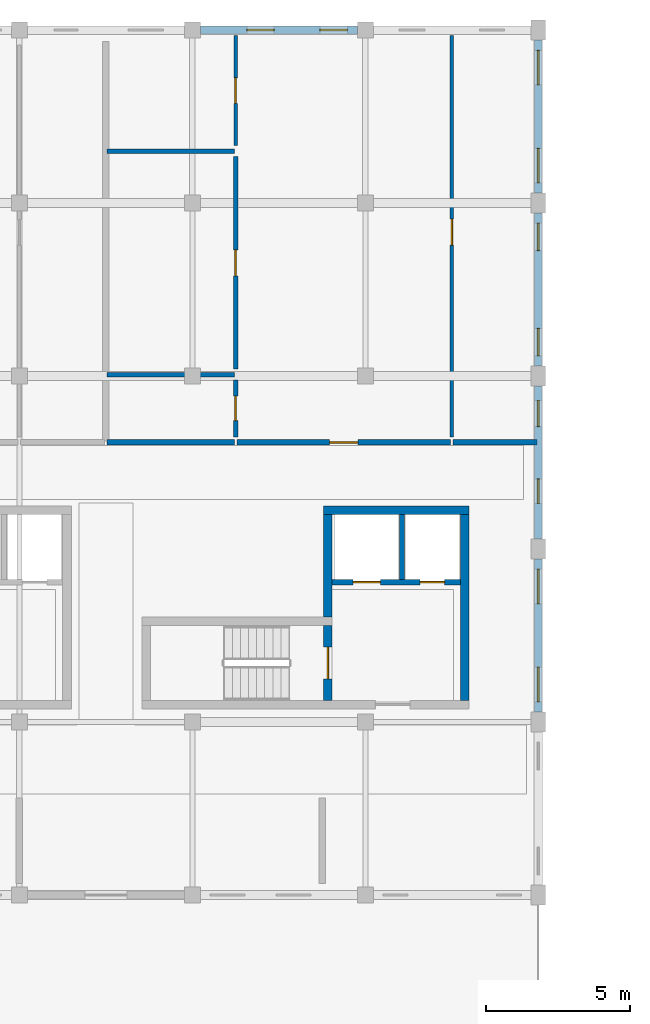
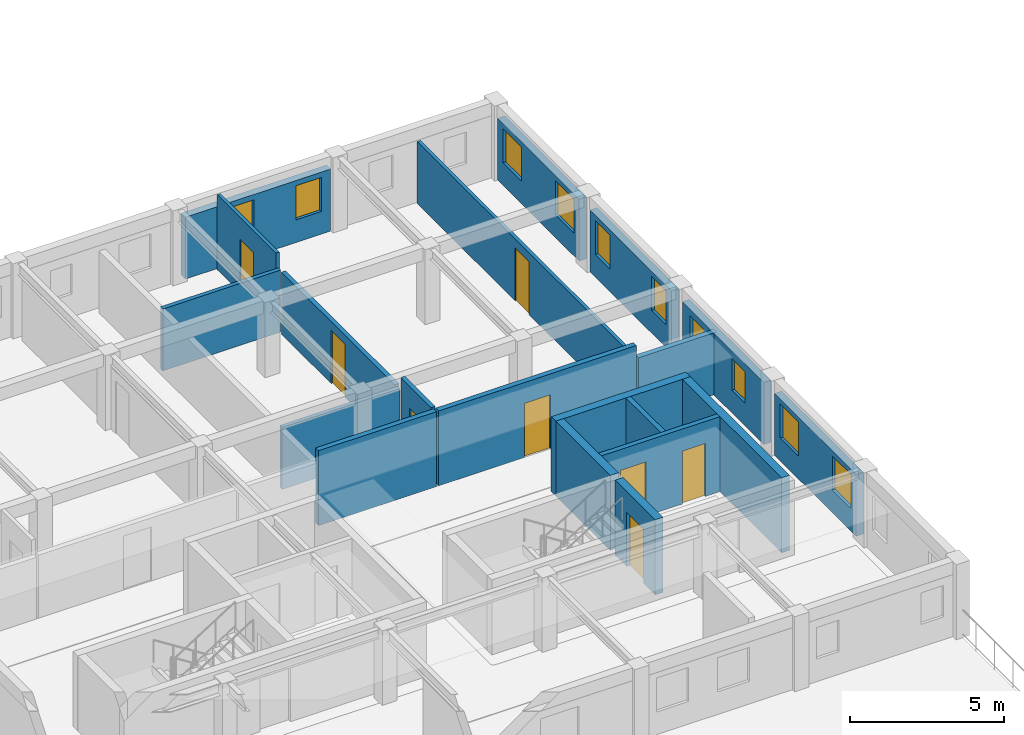
# One storey, part 17 of 28: 20 walls, 10 windows, 8 doors, 18 openings.
"""IFC4 building model written with IfcOpenShell, lengths in metres."""

from ifc_helpers import new_model, si_unit, direction, frame, frame_2d, origin, place, context, subcontext, project, spatial, rectangle, extrude, material, layer, layer_set, type_object, element, fill, save


model = new_model("IFC4")

# Units and contexts
model_context = context("Model", 3, precision=1e-05, world=origin(), true_north=direction((0.0, 1.0)))
body_context = subcontext(model_context, "Body", "Model", "MODEL_VIEW")
ifc_project = project(units=[si_unit("LENGTHUNIT", "METRE"), si_unit("AREAUNIT", "SQUARE_METRE"), si_unit("VOLUMEUNIT", "CUBIC_METRE"), si_unit("PLANEANGLEUNIT", "RADIAN"), si_unit("MASSUNIT", "GRAM", prefix="KILO"), si_unit("POWERUNIT", "WATT"), si_unit("THERMODYNAMICTEMPERATUREUNIT", "KELVIN")], contexts=[model_context])

# Site, building, storey
site_placement = place(None, origin())
site = spatial("IfcSite", under=ifc_project, at=site_placement, CompositionType="ELEMENT")
building_placement = place(site_placement, origin())
building = spatial("IfcBuilding", under=site, at=building_placement, Name="Ruvembo Vaulted Housing Court", CompositionType="ELEMENT")
storey_placement = place(building_placement, frame((0.0, 0.0, 23.699951171875)))
storey = spatial("IfcBuildingStorey", under=building, at=storey_placement, Name="L07", CompositionType="ELEMENT", Elevation=23.699951171875)

# Wall, opening, door
ifc_material_1 = material(Name="Concrete C35/45", Category="concrete")
ifc_layer_1 = layer(ifc_material_1, 0.300048828125, Name="Concrete C35/45")
ifc_layer_set_1 = layer_set([ifc_layer_1], Name="Concrete C35/45")
wall_type_1 = type_object("IfcWallType", Name="WL-CORE-300", PredefinedType="SHEAR", material=ifc_layer_set_1)
wall_1_placement = place(storey_placement, frame((70.699951171875, 90.75, 0.0), z_axis=(0.0, 0.0, 1.0), x_axis=(0.0, 1.0, 0.0)))
wall_1 = element("IfcWall", 1, at=wall_1_placement, inside=storey, type_object=wall_type_1, Name="Core B2 L07 Stair-Lobby Shear Wall", PredefinedType="SHEAR", context=body_context, shape_type="SweptSolid", body=[
    extrude(rectangle(XDim=2.60009765625, YDim=0.300048828125, at=frame_2d((1.300048828125, 0.0))), origin(), (0.0, 0.0, 1.0), 2.97509765625),
])
opening_1_placement = place(wall_1_placement, frame((0.75, 0.0, 0.0)))
opening_1 = element("IfcOpeningElement", 2, at=opening_1_placement, cuts=wall_1, Name="Opening SD2", PredefinedType="OPENING", context=body_context, shape_type="SweptSolid", body=[
    extrude(rectangle(XDim=1.10009765625, YDim=2.14990234375, at=frame_2d((0.550048828125, 1.074951171875))), frame((0.0, 0.159912109375, 0.0), z_axis=(0.0, -1.0, 0.0), x_axis=(1.0, 0.0, 0.0)), (0.0, 0.0, 1.0), 0.320068359375),
])
ifc_material_2 = material(Name="Galvanised Painted Steel", Category="steel")
door_type_1 = type_object("IfcDoorType", Name="DR-STAIR-1100x2150", OperationType="NOTDEFINED", PredefinedType="DOOR", material=ifc_material_2)
door_1_placement = place(opening_1_placement, origin())
door_1 = element("IfcDoor", 3, at=door_1_placement, inside=storey, type_object=door_type_1, Name="Stair ST-B2 L07 Fire Door", OperationType="SINGLE_SWING_LEFT", OverallHeight=2.14990234375, OverallWidth=1.10009765625, PredefinedType="DOOR", context=body_context, shape_type="SweptSolid", body=[
    extrude(rectangle(XDim=1.10009765625, YDim=2.14990234375, at=frame_2d((0.550048828125, 1.074951171875))), frame((0.0, 0.02490234375, 0.0), z_axis=(0.0, -1.0, 0.0), x_axis=(1.0, 0.0, 0.0)), (0.0, 0.0, 1.0), 0.050048828125),
])
fill(opening_1, door_1)

# Walls
wall_2_placement = place(storey_placement, frame((75.60009765625, 97.35009765625, 0.0), z_axis=(0.0, 0.0, 1.0), x_axis=(-1.0, 0.0, 0.0)))
element("IfcWall", 4, at=wall_2_placement, inside=storey, type_object=wall_type_1, Name="Core B2 L07 North Shear Wall", PredefinedType="SHEAR", context=body_context, shape_type="SweptSolid", body=[
    extrude(rectangle(XDim=5.050048828125, YDim=0.300048828125, at=frame_2d((2.52490234375, 0.0))), origin(), (0.0, 0.0, 1.0), 2.97509765625),
])
wall_3_placement = place(storey_placement, frame((75.449951171875, 90.75, 0.0), z_axis=(0.0, 0.0, 1.0), x_axis=(0.0, 1.0, 0.0)))
element("IfcWall", 5, at=wall_3_placement, inside=storey, type_object=wall_type_1, Name="Core B2 L07 East Shear Wall", PredefinedType="SHEAR", context=body_context, shape_type="SweptSolid", body=[
    extrude(rectangle(XDim=6.449951171875, YDim=0.300048828125, at=frame_2d((3.22509765625, 0.0))), origin(), (0.0, 0.0, 1.0), 2.97509765625),
])
wall_4_placement = place(storey_placement, frame((70.699951171875, 93.64990234375, 0.0), z_axis=(0.0, 0.0, 1.0), x_axis=(0.0, 1.0, 0.0)))
element("IfcWall", 6, at=wall_4_placement, inside=storey, type_object=wall_type_1, Name="Core B2 L07 Upper West Shear Wall", PredefinedType="SHEAR", context=body_context, shape_type="SweptSolid", body=[
    extrude(rectangle(XDim=3.550048828125, YDim=0.300048828125, at=frame_2d((1.77490234375, 0.0))), origin(), (0.0, 0.0, 1.0), 2.97509765625),
])
ifc_material_3 = material(Name="Concrete Blockwork 190", Category="masonry")
ifc_layer_2 = layer(ifc_material_3, 0.18994140625, Name="Concrete Blockwork 190")
ifc_layer_set_2 = layer_set([ifc_layer_2], Name="Concrete Blockwork 190")
wall_type_2 = type_object("IfcWallType", Name="WL-CORR-190", PredefinedType="SOLIDWALL", material=ifc_layer_set_2)
wall_5_placement = place(storey_placement, frame((63.0400390625, 99.699951171875, 0.0), z_axis=(0.0, 0.0, 1.0), x_axis=(1.0, 0.0, 0.0)))
element("IfcWall", 7, at=wall_5_placement, inside=storey, type_object=wall_type_2, Name="L07 Flat B-L07-N2 Corridor Wall WL-INT-L07-01920", PredefinedType="SOLIDWALL", context=body_context, shape_type="SweptSolid", body=[
    extrude(rectangle(XDim=4.419921875, YDim=0.18994140625, at=frame_2d((2.2099609375, 0.0))), origin(), (0.0, 0.0, 1.0), 2.97509765625),
])

# Wall, opening, door
wall_6_placement = place(storey_placement, frame((67.5400390625, 99.699951171875, 0.0), z_axis=(0.0, 0.0, 1.0), x_axis=(1.0, 0.0, 0.0)))
wall_6 = element("IfcWall", 8, at=wall_6_placement, inside=storey, type_object=wall_type_2, Name="L07 Flat B-L07-N2 Entrance WL-INT-L07-01921", PredefinedType="SOLIDWALL", context=body_context, shape_type="SweptSolid", body=[
    extrude(rectangle(XDim=7.419921875, YDim=0.18994140625, at=frame_2d((3.7099609375, 0.0))), origin(), (0.0, 0.0, 1.0), 2.97509765625),
])
opening_2_placement = place(wall_6_placement, frame((3.219970703125, 0.0, 0.0)))
opening_2 = element("IfcOpeningElement", 9, at=opening_2_placement, cuts=wall_6, Name="Opening FD2", PredefinedType="OPENING", context=body_context, shape_type="SweptSolid", body=[
    extrude(rectangle(XDim=0.97998046875, YDim=2.14990234375, at=frame_2d((0.489990234375, 1.074951171875))), frame((0.0, 0.10498046875, 0.0), z_axis=(0.0, -1.0, 0.0), x_axis=(1.0, 0.0, 0.0)), (0.0, 0.0, 1.0), 0.2099609375),
])
ifc_material_4 = material(Name="FSC Hardwood and Engineered Timber", Category="wood")
door_type_2 = type_object("IfcDoorType", Name="DR-FLAT-0980x2150", OperationType="NOTDEFINED", PredefinedType="DOOR", material=ifc_material_4)
door_2_placement = place(opening_2_placement, origin())
door_2 = element("IfcDoor", 10, at=door_2_placement, inside=storey, type_object=door_type_2, Name="L07 Flat B-L07-N2 Entrance Door DR-INT-L07-01078", OperationType="SINGLE_SWING_RIGHT", OverallHeight=2.14990234375, OverallWidth=0.97998046875, PredefinedType="DOOR", context=body_context, shape_type="SweptSolid", body=[
    extrude(rectangle(XDim=0.97998046875, YDim=2.14990234375, at=frame_2d((0.489990234375, 1.074951171875))), frame((0.0, 0.02490234375, 0.0), z_axis=(0.0, -1.0, 0.0), x_axis=(1.0, 0.0, 0.0)), (0.0, 0.0, 1.0), 0.050048828125),
])
fill(opening_2, door_2)

# Wall
wall_7_placement = place(storey_placement, frame((75.0400390625, 99.699951171875, 0.0), z_axis=(0.0, 0.0, 1.0), x_axis=(1.0, 0.0, 0.0)))
element("IfcWall", 11, at=wall_7_placement, inside=storey, type_object=wall_type_2, Name="L07 Flat B-L07-N2 Corridor Wall 2 WL-INT-L07-01927", PredefinedType="SOLIDWALL", context=body_context, shape_type="SweptSolid", body=[
    extrude(rectangle(XDim=2.919921875, YDim=0.18994140625, at=frame_2d((1.4599609375, 0.0))), origin(), (0.0, 0.0, 1.0), 2.45703125),
])

# Wall, openings, windows
ifc_material_5 = material(Name="Rendered Masonry 270", Category="masonry")
ifc_layer_3 = layer(ifc_material_5, 0.27001953125, Name="Rendered Masonry 270")
ifc_layer_set_3 = layer_set([ifc_layer_3], Name="Rendered Masonry 270")
wall_type_3 = type_object("IfcWallType", Name="WL-EXT-270", PredefinedType="STANDARD", material=ifc_layer_set_3)
wall_8_placement = place(storey_placement, frame((78.0, 90.35009765625, 0.0), z_axis=(0.0, 0.0, 1.0), x_axis=(0.0, 1.0, 0.0)))
wall_8 = element("IfcWall", 12, at=wall_8_placement, inside=storey, type_object=wall_type_3, Name="Block B L07 Exterior Wall EAST #2", PredefinedType="STANDARD", context=body_context, shape_type="SweptSolid", body=[
    extrude(rectangle(XDim=5.2998046875, YDim=0.27001953125, at=frame_2d((2.64990234375, 0.0))), origin(), (0.0, 0.0, 1.0), 2.45703125),
])
opening_3_placement = place(wall_8_placement, frame((0.35009765625, 0.0, 0.89990234375)))
opening_3 = element("IfcOpeningElement", 13, at=opening_3_placement, cuts=wall_8, Name="Opening W12", PredefinedType="OPENING", context=body_context, shape_type="SweptSolid", body=[
    extrude(rectangle(XDim=1.199951171875, YDim=1.35009765625, at=frame_2d((0.60009765625, 0.675048828125))), frame((0.0, 0.14501953125, 0.0), z_axis=(0.0, -1.0, 0.0), x_axis=(1.0, 0.0, 0.0)), (0.0, 0.0, 1.0), 0.2900390625),
])
opening_4_placement = place(wall_8_placement, frame((3.75, 0.0, 0.89990234375)))
opening_4 = element("IfcOpeningElement", 14, at=opening_4_placement, cuts=wall_8, Name="Opening W12", PredefinedType="OPENING", context=body_context, shape_type="SweptSolid", body=[
    extrude(rectangle(XDim=1.199951171875, YDim=1.35009765625, at=frame_2d((0.60009765625, 0.675048828125))), frame((0.0, 0.14501953125, 0.0), z_axis=(0.0, -1.0, 0.0), x_axis=(1.0, 0.0, 0.0)), (0.0, 0.0, 1.0), 0.2900390625),
])
ifc_material_6 = material(Name="Double Solar-Control Glazing in Aluminium Frame", Category="aluminium")
window_type_1 = type_object("IfcWindowType", Name="WIN-1200x1350", PartitioningType="SINGLE_PANEL", PredefinedType="WINDOW", material=ifc_material_6)
window_1_placement = place(opening_3_placement, origin())
window_1 = element("IfcWindow", 15, at=window_1_placement, inside=storey, type_object=window_type_1, Name="Block B L07 Window #917", OverallHeight=1.35009765625, OverallWidth=1.199951171875, PartitioningType="SINGLE_PANEL", PredefinedType="WINDOW", context=body_context, shape_type="SweptSolid", body=[
    extrude(rectangle(XDim=1.199951171875, YDim=1.35009765625, at=frame_2d((0.60009765625, 0.675048828125))), frame((0.0, 0.030029296875, 0.0), z_axis=(0.0, -1.0, 0.0), x_axis=(1.0, 0.0, 0.0)), (0.0, 0.0, 1.0), 0.06005859375),
])
fill(opening_3, window_1)
window_2_placement = place(opening_4_placement, origin())
window_2 = element("IfcWindow", 16, at=window_2_placement, inside=storey, type_object=window_type_1, Name="Block B L07 Window #918", OverallHeight=1.35009765625, OverallWidth=1.199951171875, PartitioningType="SINGLE_PANEL", PredefinedType="WINDOW", context=body_context, shape_type="SweptSolid", body=[
    extrude(rectangle(XDim=1.199951171875, YDim=1.35009765625, at=frame_2d((0.60009765625, 0.675048828125))), frame((0.0, 0.030029296875, 0.0), z_axis=(0.0, -1.0, 0.0), x_axis=(1.0, 0.0, 0.0)), (0.0, 0.0, 1.0), 0.06005859375),
])
fill(opening_4, window_2)

wall_9_placement = place(storey_placement, frame((78.0, 96.35009765625, 0.0), z_axis=(0.0, 0.0, 1.0), x_axis=(0.0, 1.0, 0.0)))
wall_9 = element("IfcWall", 17, at=wall_9_placement, inside=storey, type_object=wall_type_3, Name="Block B L07 Exterior Wall EAST #3", PredefinedType="STANDARD", context=body_context, shape_type="SweptSolid", body=[
    extrude(rectangle(XDim=5.2998046875, YDim=0.27001953125, at=frame_2d((2.64990234375, 0.0))), origin(), (0.0, 0.0, 1.0), 2.45703125),
])
opening_5_placement = place(wall_9_placement, frame((1.22998046875, 0.0, 0.89990234375)))
opening_5 = element("IfcOpeningElement", 18, at=opening_5_placement, cuts=wall_9, Name="Opening W03", PredefinedType="OPENING", context=body_context, shape_type="SweptSolid", body=[
    extrude(rectangle(XDim=0.85009765625, YDim=1.25, at=frame_2d((0.425048828125, 0.625))), frame((0.0, 0.14501953125, 0.0), z_axis=(0.0, -1.0, 0.0), x_axis=(1.0, 0.0, 0.0)), (0.0, 0.0, 1.0), 0.2900390625),
])
opening_6_placement = place(wall_9_placement, frame((3.89501953125, 0.0, 0.89990234375)))
opening_6 = element("IfcOpeningElement", 19, at=opening_6_placement, cuts=wall_9, Name="Opening W04", PredefinedType="OPENING", context=body_context, shape_type="SweptSolid", body=[
    extrude(rectangle(XDim=0.89990234375, YDim=1.300048828125, at=frame_2d((0.449951171875, 0.64990234375))), frame((0.0, 0.14501953125, 0.0), z_axis=(0.0, -1.0, 0.0), x_axis=(1.0, 0.0, 0.0)), (0.0, 0.0, 1.0), 0.2900390625),
])
window_type_2 = type_object("IfcWindowType", Name="WIN-0850x1250", PartitioningType="SINGLE_PANEL", PredefinedType="WINDOW", material=ifc_material_6)
window_3_placement = place(opening_5_placement, origin())
window_3 = element("IfcWindow", 20, at=window_3_placement, inside=storey, type_object=window_type_2, Name="Block B L07 Window #919", OverallHeight=1.25, OverallWidth=0.85009765625, PartitioningType="SINGLE_PANEL", PredefinedType="WINDOW", context=body_context, shape_type="SweptSolid", body=[
    extrude(rectangle(XDim=0.85009765625, YDim=1.25, at=frame_2d((0.425048828125, 0.625))), frame((0.0, 0.030029296875, 0.0), z_axis=(0.0, -1.0, 0.0), x_axis=(1.0, 0.0, 0.0)), (0.0, 0.0, 1.0), 0.06005859375),
])
fill(opening_5, window_3)
window_type_3 = type_object("IfcWindowType", Name="WIN-0900x1300", PartitioningType="SINGLE_PANEL", PredefinedType="WINDOW", material=ifc_material_6)
window_4_placement = place(opening_6_placement, origin())
window_4 = element("IfcWindow", 21, at=window_4_placement, inside=storey, type_object=window_type_3, Name="Block B L07 Window #920", OverallHeight=1.300048828125, OverallWidth=0.89990234375, PartitioningType="SINGLE_PANEL", PredefinedType="WINDOW", context=body_context, shape_type="SweptSolid", body=[
    extrude(rectangle(XDim=0.89990234375, YDim=1.300048828125, at=frame_2d((0.449951171875, 0.64990234375))), frame((0.0, 0.030029296875, 0.0), z_axis=(0.0, -1.0, 0.0), x_axis=(1.0, 0.0, 0.0)), (0.0, 0.0, 1.0), 0.06005859375),
])
fill(opening_6, window_4)

wall_10_placement = place(storey_placement, frame((78.0, 102.35009765625, 0.0), z_axis=(0.0, 0.0, 1.0), x_axis=(0.0, 1.0, 0.0)))
wall_10 = element("IfcWall", 22, at=wall_10_placement, inside=storey, type_object=wall_type_3, Name="Block B L07 Exterior Wall EAST #4", PredefinedType="STANDARD", context=body_context, shape_type="SweptSolid", body=[
    extrude(rectangle(XDim=5.2998046875, YDim=0.27001953125, at=frame_2d((2.64990234375, 0.0))), origin(), (0.0, 0.0, 1.0), 2.45703125),
])
opening_7_placement = place(wall_10_placement, frame((0.35009765625, 0.0, 0.89990234375)))
opening_7 = element("IfcOpeningElement", 23, at=opening_7_placement, cuts=wall_10, Name="Opening W07", PredefinedType="OPENING", context=body_context, shape_type="SweptSolid", body=[
    extrude(rectangle(XDim=0.949951171875, YDim=1.35009765625, at=frame_2d((0.47509765625, 0.675048828125))), frame((0.0, 0.14501953125, 0.0), z_axis=(0.0, -1.0, 0.0), x_axis=(1.0, 0.0, 0.0)), (0.0, 0.0, 1.0), 0.2900390625),
])
opening_8_placement = place(wall_10_placement, frame((4.0, 0.0, 0.89990234375)))
opening_8 = element("IfcOpeningElement", 24, at=opening_8_placement, cuts=wall_10, Name="Opening W07", PredefinedType="OPENING", context=body_context, shape_type="SweptSolid", body=[
    extrude(rectangle(XDim=0.949951171875, YDim=1.35009765625, at=frame_2d((0.47509765625, 0.675048828125))), frame((0.0, 0.14501953125, 0.0), z_axis=(0.0, -1.0, 0.0), x_axis=(1.0, 0.0, 0.0)), (0.0, 0.0, 1.0), 0.2900390625),
])
window_type_4 = type_object("IfcWindowType", Name="WIN-0950x1350", PartitioningType="SINGLE_PANEL", PredefinedType="WINDOW", material=ifc_material_6)
window_5_placement = place(opening_7_placement, origin())
window_5 = element("IfcWindow", 25, at=window_5_placement, inside=storey, type_object=window_type_4, Name="Block B L07 Window #921", OverallHeight=1.35009765625, OverallWidth=0.949951171875, PartitioningType="SINGLE_PANEL", PredefinedType="WINDOW", context=body_context, shape_type="SweptSolid", body=[
    extrude(rectangle(XDim=0.949951171875, YDim=1.35009765625, at=frame_2d((0.47509765625, 0.675048828125))), frame((0.0, 0.030029296875, 0.0), z_axis=(0.0, -1.0, 0.0), x_axis=(1.0, 0.0, 0.0)), (0.0, 0.0, 1.0), 0.06005859375),
])
fill(opening_7, window_5)
window_6_placement = place(opening_8_placement, origin())
window_6 = element("IfcWindow", 26, at=window_6_placement, inside=storey, type_object=window_type_4, Name="Block B L07 Window #922", OverallHeight=1.35009765625, OverallWidth=0.949951171875, PartitioningType="SINGLE_PANEL", PredefinedType="WINDOW", context=body_context, shape_type="SweptSolid", body=[
    extrude(rectangle(XDim=0.949951171875, YDim=1.35009765625, at=frame_2d((0.47509765625, 0.675048828125))), frame((0.0, 0.030029296875, 0.0), z_axis=(0.0, -1.0, 0.0), x_axis=(1.0, 0.0, 0.0)), (0.0, 0.0, 1.0), 0.06005859375),
])
fill(opening_8, window_6)

wall_11_placement = place(storey_placement, frame((78.0, 108.35009765625, 0.0), z_axis=(0.0, 0.0, 1.0), x_axis=(0.0, 1.0, 0.0)))
wall_11 = element("IfcWall", 27, at=wall_11_placement, inside=storey, type_object=wall_type_3, Name="Block B L07 Exterior Wall EAST #5", PredefinedType="STANDARD", context=body_context, shape_type="SweptSolid", body=[
    extrude(rectangle(XDim=5.2998046875, YDim=0.27001953125, at=frame_2d((2.64990234375, 0.0))), origin(), (0.0, 0.0, 1.0), 2.45703125),
])
opening_9_placement = place(wall_11_placement, frame((0.35009765625, 0.0, 0.89990234375)))
opening_9 = element("IfcOpeningElement", 28, at=opening_9_placement, cuts=wall_11, Name="Opening W12", PredefinedType="OPENING", context=body_context, shape_type="SweptSolid", body=[
    extrude(rectangle(XDim=1.199951171875, YDim=1.35009765625, at=frame_2d((0.60009765625, 0.675048828125))), frame((0.0, 0.14501953125, 0.0), z_axis=(0.0, -1.0, 0.0), x_axis=(1.0, 0.0, 0.0)), (0.0, 0.0, 1.0), 0.2900390625),
])
opening_10_placement = place(wall_11_placement, frame((3.75, 0.0, 0.89990234375)))
opening_10 = element("IfcOpeningElement", 29, at=opening_10_placement, cuts=wall_11, Name="Opening W12", PredefinedType="OPENING", context=body_context, shape_type="SweptSolid", body=[
    extrude(rectangle(XDim=1.199951171875, YDim=1.35009765625, at=frame_2d((0.60009765625, 0.675048828125))), frame((0.0, 0.14501953125, 0.0), z_axis=(0.0, -1.0, 0.0), x_axis=(1.0, 0.0, 0.0)), (0.0, 0.0, 1.0), 0.2900390625),
])
window_7_placement = place(opening_9_placement, origin())
window_7 = element("IfcWindow", 30, at=window_7_placement, inside=storey, type_object=window_type_1, Name="Block B L07 Window #923", OverallHeight=1.35009765625, OverallWidth=1.199951171875, PartitioningType="SINGLE_PANEL", PredefinedType="WINDOW", context=body_context, shape_type="SweptSolid", body=[
    extrude(rectangle(XDim=1.199951171875, YDim=1.35009765625, at=frame_2d((0.60009765625, 0.675048828125))), frame((0.0, 0.030029296875, 0.0), z_axis=(0.0, -1.0, 0.0), x_axis=(1.0, 0.0, 0.0)), (0.0, 0.0, 1.0), 0.06005859375),
])
fill(opening_9, window_7)
window_8_placement = place(opening_10_placement, origin())
window_8 = element("IfcWindow", 31, at=window_8_placement, inside=storey, type_object=window_type_1, Name="Block B L07 Window #924", OverallHeight=1.35009765625, OverallWidth=1.199951171875, PartitioningType="SINGLE_PANEL", PredefinedType="WINDOW", context=body_context, shape_type="SweptSolid", body=[
    extrude(rectangle(XDim=1.199951171875, YDim=1.35009765625, at=frame_2d((0.60009765625, 0.675048828125))), frame((0.0, 0.030029296875, 0.0), z_axis=(0.0, -1.0, 0.0), x_axis=(1.0, 0.0, 0.0)), (0.0, 0.0, 1.0), 0.06005859375),
])
fill(opening_10, window_8)

wall_12_placement = place(storey_placement, frame((71.72509765625, 114.0, 0.0), z_axis=(0.0, 0.0, 1.0), x_axis=(-1.0, 0.0, 0.0)))
wall_12 = element("IfcWall", 32, at=wall_12_placement, inside=storey, type_object=wall_type_3, Name="Block B L07 Exterior Wall STREET #2", PredefinedType="STANDARD", context=body_context, shape_type="SweptSolid", body=[
    extrude(rectangle(XDim=5.4501953125, YDim=0.27001953125, at=frame_2d((2.72509765625, 0.0))), origin(), (0.0, 0.0, 1.0), 2.45703125),
])
opening_11_placement = place(wall_12_placement, frame((0.35009765625, 0.0, 0.89990234375)))
opening_11 = element("IfcOpeningElement", 33, at=opening_11_placement, cuts=wall_12, Name="Opening W07", PredefinedType="OPENING", context=body_context, shape_type="SweptSolid", body=[
    extrude(rectangle(XDim=0.949951171875, YDim=1.35009765625, at=frame_2d((0.47509765625, 0.675048828125))), frame((0.0, 0.14501953125, 0.0), z_axis=(0.0, -1.0, 0.0), x_axis=(1.0, 0.0, 0.0)), (0.0, 0.0, 1.0), 0.2900390625),
])
opening_12_placement = place(wall_12_placement, frame((2.885009765625, 0.0, 0.89990234375)))
opening_12 = element("IfcOpeningElement", 34, at=opening_12_placement, cuts=wall_12, Name="Opening W07", PredefinedType="OPENING", context=body_context, shape_type="SweptSolid", body=[
    extrude(rectangle(XDim=0.949951171875, YDim=1.35009765625, at=frame_2d((0.47509765625, 0.675048828125))), frame((0.0, 0.14501953125, 0.0), z_axis=(0.0, -1.0, 0.0), x_axis=(1.0, 0.0, 0.0)), (0.0, 0.0, 1.0), 0.2900390625),
])
window_9_placement = place(opening_11_placement, origin())
window_9 = element("IfcWindow", 35, at=window_9_placement, inside=storey, type_object=window_type_4, Name="Block B L07 Window #927", OverallHeight=1.35009765625, OverallWidth=0.949951171875, PartitioningType="SINGLE_PANEL", PredefinedType="WINDOW", context=body_context, shape_type="SweptSolid", body=[
    extrude(rectangle(XDim=0.949951171875, YDim=1.35009765625, at=frame_2d((0.47509765625, 0.675048828125))), frame((0.0, 0.030029296875, 0.0), z_axis=(0.0, -1.0, 0.0), x_axis=(1.0, 0.0, 0.0)), (0.0, 0.0, 1.0), 0.06005859375),
])
fill(opening_11, window_9)
window_10_placement = place(opening_12_placement, origin())
window_10 = element("IfcWindow", 36, at=window_10_placement, inside=storey, type_object=window_type_4, Name="Block B L07 Window #928", OverallHeight=1.35009765625, OverallWidth=0.949951171875, PartitioningType="SINGLE_PANEL", PredefinedType="WINDOW", context=body_context, shape_type="SweptSolid", body=[
    extrude(rectangle(XDim=0.949951171875, YDim=1.35009765625, at=frame_2d((0.47509765625, 0.675048828125))), frame((0.0, 0.030029296875, 0.0), z_axis=(0.0, -1.0, 0.0), x_axis=(1.0, 0.0, 0.0)), (0.0, 0.0, 1.0), 0.06005859375),
])
fill(opening_12, window_10)

# Wall, opening, door
ifc_material_7 = material(Name="Plasterboard Stud Partition 125", Category="gypsum")
ifc_layer_4 = layer(ifc_material_7, 0.125, Name="Plasterboard Stud Partition 125")
ifc_layer_set_4 = layer_set([ifc_layer_4], Name="Plasterboard Stud Partition 125")
wall_type_4 = type_object("IfcWallType", Name="WL-PART-125", PredefinedType="PARTITIONING", material=ifc_layer_set_4)
wall_13_placement = place(storey_placement, frame((67.5, 109.989990234375, 0.0), z_axis=(0.0, 0.0, 1.0), x_axis=(0.0, 1.0, 0.0)))
wall_13 = element("IfcWall", 37, at=wall_13_placement, inside=storey, type_object=wall_type_4, Name="L07 Flat B-L07-N2 Bedroom 1 WL-INT-L07-01922", PredefinedType="PARTITIONING", context=body_context, shape_type="SweptSolid", body=[
    extrude(rectangle(XDim=3.820068359375, YDim=0.125, at=frame_2d((1.91015625, 0.0))), origin(), (0.0, 0.0, 1.0), 2.97509765625),
])
opening_13_placement = place(wall_13_placement, frame((1.469970703125, 0.0, 0.0)))
opening_13 = element("IfcOpeningElement", 38, at=opening_13_placement, cuts=wall_13, Name="Opening ID3", PredefinedType="OPENING", context=body_context, shape_type="SweptSolid", body=[
    extrude(rectangle(XDim=0.8798828125, YDim=2.10009765625, at=frame_2d((0.43994140625, 1.050048828125))), frame((0.0, 0.072509765625, 0.0), z_axis=(0.0, -1.0, 0.0), x_axis=(1.0, 0.0, 0.0)), (0.0, 0.0, 1.0), 0.14501953125),
])
door_type_3 = type_object("IfcDoorType", Name="DR-ROOM-0880x2100", OperationType="NOTDEFINED", PredefinedType="DOOR", material=ifc_material_4)
door_3_placement = place(opening_13_placement, origin())
door_3 = element("IfcDoor", 39, at=door_3_placement, inside=storey, type_object=door_type_3, Name="L07 Flat B-L07-N2 Bedroom 1 Door DR-INT-L07-01079", OperationType="SINGLE_SWING_LEFT", OverallHeight=2.10009765625, OverallWidth=0.8798828125, PredefinedType="DOOR", context=body_context, shape_type="SweptSolid", body=[
    extrude(rectangle(XDim=0.8798828125, YDim=2.10009765625, at=frame_2d((0.43994140625, 1.050048828125))), frame((0.0, 0.02490234375, 0.0), z_axis=(0.0, -1.0, 0.0), x_axis=(1.0, 0.0, 0.0)), (0.0, 0.0, 1.0), 0.050048828125),
])
fill(opening_13, door_3)

wall_14_placement = place(storey_placement, frame((75.0, 99.889892578125, 0.0), z_axis=(0.0, 0.0, 1.0), x_axis=(0.0, 1.0, 0.0)))
wall_14 = element("IfcWall", 40, at=wall_14_placement, inside=storey, type_object=wall_type_4, Name="L07 Flat B-L07-N2 Bedroom 2 WL-INT-L07-01928", PredefinedType="PARTITIONING", context=body_context, shape_type="SweptSolid", body=[
    extrude(rectangle(XDim=13.920166015625, YDim=0.125, at=frame_2d((6.9599609375, 0.0))), origin(), (0.0, 0.0, 1.0), 2.45703125),
])
opening_14_placement = place(wall_14_placement, frame((6.64990234375, 0.0, 0.0)))
opening_14 = element("IfcOpeningElement", 41, at=opening_14_placement, cuts=wall_14, Name="Opening ID1", PredefinedType="OPENING", context=body_context, shape_type="SweptSolid", body=[
    extrude(rectangle(XDim=0.89990234375, YDim=2.10009765625, at=frame_2d((0.449951171875, 1.050048828125))), frame((0.0, 0.072509765625, 0.0), z_axis=(0.0, -1.0, 0.0), x_axis=(1.0, 0.0, 0.0)), (0.0, 0.0, 1.0), 0.14501953125),
])
door_type_4 = type_object("IfcDoorType", Name="DR-ROOM-0900x2100", OperationType="NOTDEFINED", PredefinedType="DOOR", material=ifc_material_4)
door_4_placement = place(opening_14_placement, origin())
door_4 = element("IfcDoor", 42, at=door_4_placement, inside=storey, type_object=door_type_4, Name="L07 Flat B-L07-N2 Bedroom 2 Door DR-INT-L07-01082", OperationType="SINGLE_SWING_RIGHT", OverallHeight=2.10009765625, OverallWidth=0.89990234375, PredefinedType="DOOR", context=body_context, shape_type="SweptSolid", body=[
    extrude(rectangle(XDim=0.89990234375, YDim=2.10009765625, at=frame_2d((0.449951171875, 1.050048828125))), frame((0.0, 0.02490234375, 0.0), z_axis=(0.0, -1.0, 0.0), x_axis=(1.0, 0.0, 0.0)), (0.0, 0.0, 1.0), 0.050048828125),
])
fill(opening_14, door_4)

ifc_material_8 = material(Name="Moisture-Resistant Wet Partition 150", Category="gypsum")
ifc_layer_5 = layer(ifc_material_8, 0.14990234375, Name="Moisture-Resistant Wet Partition 150")
ifc_layer_set_5 = layer_set([ifc_layer_5], Name="Moisture-Resistant Wet Partition 150")
wall_type_5 = type_object("IfcWallType", Name="WL-PART-150", PredefinedType="PARTITIONING", material=ifc_layer_set_5)
wall_15_placement = place(storey_placement, frame((67.5, 99.889892578125, 0.0), z_axis=(0.0, 0.0, 1.0), x_axis=(0.0, 1.0, 0.0)))
wall_15 = element("IfcWall", 43, at=wall_15_placement, inside=storey, type_object=wall_type_5, Name="L07 Flat B-L07-N2 Bathroom WL-INT-L07-01924", PredefinedType="PARTITIONING", context=body_context, shape_type="SweptSolid", body=[
    extrude(rectangle(XDim=1.97021484375, YDim=0.14990234375, at=frame_2d((0.985107421875, 0.0))), origin(), (0.0, 0.0, 1.0), 2.97509765625),
])
opening_15_placement = place(wall_15_placement, frame((0.56005859375, 0.0, 0.0)))
opening_15 = element("IfcOpeningElement", 44, at=opening_15_placement, cuts=wall_15, Name="Opening ID2", PredefinedType="OPENING", context=body_context, shape_type="SweptSolid", body=[
    extrude(rectangle(XDim=0.85009765625, YDim=2.10009765625, at=frame_2d((0.425048828125, 1.050048828125))), frame((0.0, 0.0849609375, 0.0), z_axis=(0.0, -1.0, 0.0), x_axis=(1.0, 0.0, 0.0)), (0.0, 0.0, 1.0), 0.169921875),
])
door_type_5 = type_object("IfcDoorType", Name="DR-WET-0850x2100", OperationType="NOTDEFINED", PredefinedType="DOOR", material=ifc_material_4)
door_5_placement = place(opening_15_placement, origin())
door_5 = element("IfcDoor", 45, at=door_5_placement, inside=storey, type_object=door_type_5, Name="L07 Flat B-L07-N2 Bathroom Door DR-INT-L07-01081", OperationType="SINGLE_SWING_LEFT", OverallHeight=2.10009765625, OverallWidth=0.85009765625, PredefinedType="DOOR", context=body_context, shape_type="SweptSolid", body=[
    extrude(rectangle(XDim=0.85009765625, YDim=2.10009765625, at=frame_2d((0.425048828125, 1.050048828125))), frame((0.0, 0.02490234375, 0.0), z_axis=(0.0, -1.0, 0.0), x_axis=(1.0, 0.0, 0.0)), (0.0, 0.0, 1.0), 0.050048828125),
])
fill(opening_15, door_5)

# Walls
wall_16_placement = place(storey_placement, frame((63.0400390625, 109.800048828125, 0.0), z_axis=(0.0, 0.0, 1.0), x_axis=(1.0, 0.0, 0.0)))
element("IfcWall", 46, at=wall_16_placement, inside=storey, type_object=wall_type_5, Name="L07 Flat B-L07-N2 Wet Wall 1 WL-INT-L07-01925", PredefinedType="PARTITIONING", context=body_context, shape_type="SweptSolid", body=[
    extrude(rectangle(XDim=4.419921875, YDim=0.14990234375, at=frame_2d((2.2099609375, 0.0))), origin(), (0.0, 0.0, 1.0), 2.4580078125),
])
wall_17_placement = place(storey_placement, frame((63.0400390625, 102.050048828125, 0.0), z_axis=(0.0, 0.0, 1.0), x_axis=(1.0, 0.0, 0.0)))
element("IfcWall", 47, at=wall_17_placement, inside=storey, type_object=wall_type_5, Name="L07 Flat B-L07-N2 Wet Wall 2 WL-INT-L07-01926", PredefinedType="PARTITIONING", context=body_context, shape_type="SweptSolid", body=[
    extrude(rectangle(XDim=4.419921875, YDim=0.14990234375, at=frame_2d((2.2099609375, 0.0))), origin(), (0.0, 0.0, 1.0), 2.45703125),
])

# Wall, opening, door
ifc_material_9 = material(Name="Acoustic Service Chase Wall 160", Category="gypsum")
ifc_layer_6 = layer(ifc_material_9, 0.159912109375, Name="Acoustic Service Chase Wall 160")
ifc_layer_set_6 = layer_set([ifc_layer_6], Name="Acoustic Service Chase Wall 160")
wall_type_6 = type_object("IfcWallType", Name="WL-PLUMB-160", PredefinedType="PLUMBINGWALL", material=ifc_layer_set_6)
wall_18_placement = place(storey_placement, frame((67.5, 102.239990234375, 0.0), z_axis=(0.0, 0.0, 1.0), x_axis=(0.0, 1.0, 0.0)))
wall_18 = element("IfcWall", 48, at=wall_18_placement, inside=storey, type_object=wall_type_6, Name="L07 Flat B-L07-N2 Kitchen WL-INT-L07-01923", PredefinedType="PLUMBINGWALL", context=body_context, shape_type="SweptSolid", body=[
    extrude(rectangle(XDim=7.3701171875, YDim=0.159912109375, at=frame_2d((3.68505859375, 0.0))), origin(), (0.0, 0.0, 1.0), 2.45703125),
])
opening_16_placement = place(wall_18_placement, frame((3.235107421875, 0.0, 0.0)))
opening_16 = element("IfcOpeningElement", 49, at=opening_16_placement, cuts=wall_18, Name="Opening ID1", PredefinedType="OPENING", context=body_context, shape_type="SweptSolid", body=[
    extrude(rectangle(XDim=0.89990234375, YDim=2.10009765625, at=frame_2d((0.449951171875, 1.050048828125))), frame((0.0, 0.08984375, 0.0), z_axis=(0.0, -1.0, 0.0), x_axis=(1.0, 0.0, 0.0)), (0.0, 0.0, 1.0), 0.179931640625),
])
door_6_placement = place(opening_16_placement, origin())
door_6 = element("IfcDoor", 50, at=door_6_placement, inside=storey, type_object=door_type_4, Name="L07 Flat B-L07-N2 Kitchen Door DR-INT-L07-01080", OperationType="SINGLE_SWING_RIGHT", OverallHeight=2.10009765625, OverallWidth=0.89990234375, PredefinedType="DOOR", context=body_context, shape_type="SweptSolid", body=[
    extrude(rectangle(XDim=0.89990234375, YDim=2.10009765625, at=frame_2d((0.449951171875, 1.050048828125))), frame((0.0, 0.02490234375, 0.0), z_axis=(0.0, -1.0, 0.0), x_axis=(1.0, 0.0, 0.0)), (0.0, 0.0, 1.0), 0.050048828125),
])
fill(opening_16, door_6)

# Wall, openings, doors
ifc_material_10 = material(Name="Fire-Rated Masonry Shaft 180", Category="masonry")
ifc_layer_7 = layer(ifc_material_10, 0.179931640625, Name="Fire-Rated Masonry Shaft 180")
ifc_layer_set_7 = layer_set([ifc_layer_7], Name="Fire-Rated Masonry Shaft 180")
wall_type_7 = type_object("IfcWallType", Name="WL-SHAFT-180", PredefinedType="SOLIDWALL", material=ifc_layer_set_7)
wall_19_placement = place(storey_placement, frame((70.85009765625, 94.85009765625, 0.0), z_axis=(0.0, 0.0, 1.0), x_axis=(1.0, 0.0, 0.0)))
wall_19 = element("IfcWall", 51, at=wall_19_placement, inside=storey, type_object=wall_type_7, Name="Core B2 L07 Lift and Riser Front Wall", PredefinedType="SOLIDWALL", context=body_context, shape_type="SweptSolid", body=[
    extrude(rectangle(XDim=4.449951171875, YDim=0.179931640625, at=frame_2d((2.22509765625, 0.0))), origin(), (0.0, 0.0, 1.0), 2.97509765625),
])
opening_17_placement = place(wall_19_placement, frame((0.72509765625, 0.0, 0.0)))
opening_17 = element("IfcOpeningElement", 52, at=opening_17_placement, cuts=wall_19, Name="Opening LD-LP-B2-L07", PredefinedType="OPENING", context=body_context, shape_type="SweptSolid", body=[
    extrude(rectangle(XDim=0.949951171875, YDim=2.14990234375, at=frame_2d((0.47509765625, 1.074951171875))), frame((0.0, 0.099853515625, 0.0), z_axis=(0.0, -1.0, 0.0), x_axis=(1.0, 0.0, 0.0)), (0.0, 0.0, 1.0), 0.199951171875),
])
opening_18_placement = place(wall_19_placement, frame((3.050048828125, 0.0, 0.0)))
opening_18 = element("IfcOpeningElement", 53, at=opening_18_placement, cuts=wall_19, Name="Opening RD1", PredefinedType="OPENING", context=body_context, shape_type="SweptSolid", body=[
    extrude(rectangle(XDim=0.85009765625, YDim=2.10009765625, at=frame_2d((0.425048828125, 1.050048828125))), frame((0.0, 0.099853515625, 0.0), z_axis=(0.0, -1.0, 0.0), x_axis=(1.0, 0.0, 0.0)), (0.0, 0.0, 1.0), 0.199951171875),
])
ifc_material_11 = material(Name="Brushed Stainless Steel 304", Category="steel")
door_type_6 = type_object("IfcDoorType", Name="DR-LIFT-0950x2150", OperationType="NOTDEFINED", PredefinedType="DOOR", material=ifc_material_11)
door_7_placement = place(opening_17_placement, origin())
door_7 = element("IfcDoor", 54, at=door_7_placement, inside=storey, type_object=door_type_6, Name="Lift LP-B2 L07 Sliding Landing Door", OperationType="SLIDING_TO_LEFT", OverallHeight=2.14990234375, OverallWidth=0.949951171875, PredefinedType="DOOR", context=body_context, shape_type="SweptSolid", body=[
    extrude(rectangle(XDim=0.949951171875, YDim=2.14990234375, at=frame_2d((0.47509765625, 1.074951171875))), frame((0.0, 0.02490234375, 0.0), z_axis=(0.0, -1.0, 0.0), x_axis=(1.0, 0.0, 0.0)), (0.0, 0.0, 1.0), 0.050048828125),
])
fill(opening_17, door_7)
door_type_7 = type_object("IfcDoorType", Name="DR-RISER-0850x2100", OperationType="NOTDEFINED", PredefinedType="DOOR", material=ifc_material_2)
door_8_placement = place(opening_18_placement, frame((0.85009765625, 0.0, 0.0), z_axis=(0.0, 0.0, 1.0), x_axis=(-1.0, 0.0, 0.0)))
door_8 = element("IfcDoor", 55, at=door_8_placement, inside=storey, type_object=door_type_7, Name="Core B2 L07 Service Riser Door", OperationType="SINGLE_SWING_RIGHT", OverallHeight=2.10009765625, OverallWidth=0.85009765625, PredefinedType="DOOR", context=body_context, shape_type="SweptSolid", body=[
    extrude(rectangle(XDim=0.85009765625, YDim=2.10009765625, at=frame_2d((0.425048828125, 1.050048828125))), frame((0.0, 0.02490234375, 0.0), z_axis=(0.0, -1.0, 0.0), x_axis=(1.0, 0.0, 0.0)), (0.0, 0.0, 1.0), 0.050048828125),
])
fill(opening_18, door_8)

# Wall
wall_20_placement = place(storey_placement, frame((73.27001953125, 94.93994140625, 0.0), z_axis=(0.0, 0.0, 1.0), x_axis=(0.0, 1.0, 0.0)))
element("IfcWall", 56, at=wall_20_placement, inside=storey, type_object=wall_type_7, Name="Core B2 L07 Shaft-Riser Divider Wall", PredefinedType="SOLIDWALL", context=body_context, shape_type="SweptSolid", body=[
    extrude(rectangle(XDim=2.260009765625, YDim=0.179931640625, at=frame_2d((1.1298828125, 0.0))), origin(), (0.0, 0.0, 1.0), 2.97509765625),
])

save(model, "model.ifc")
